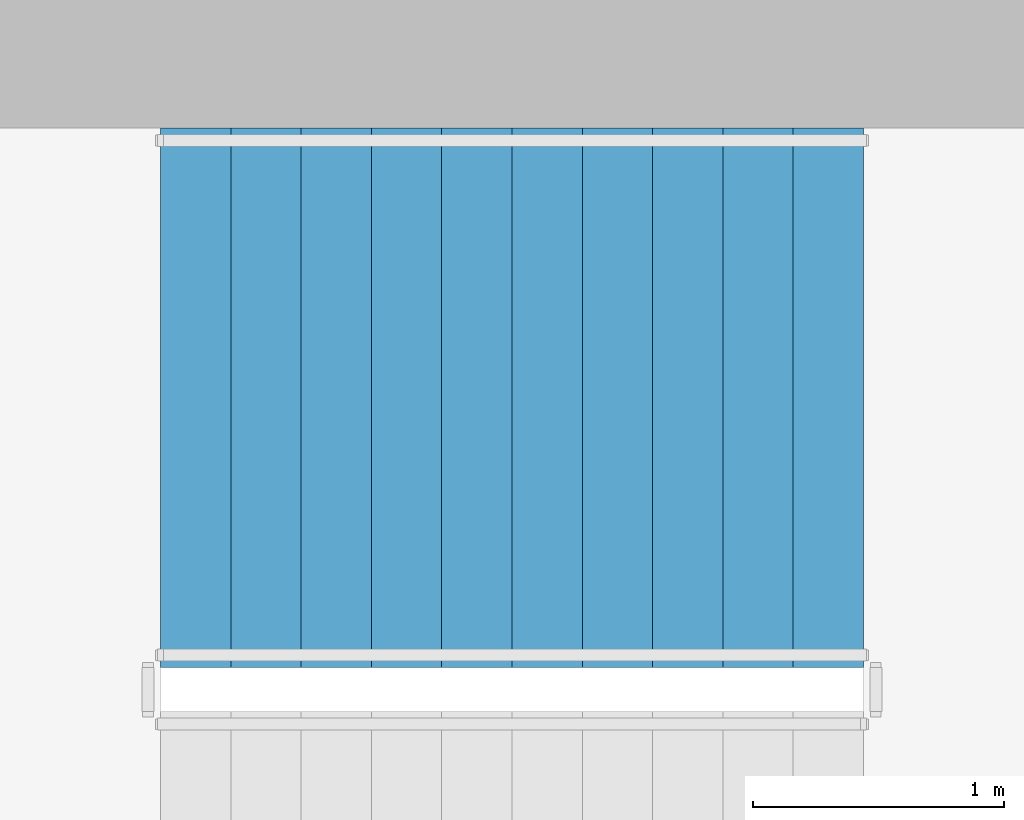
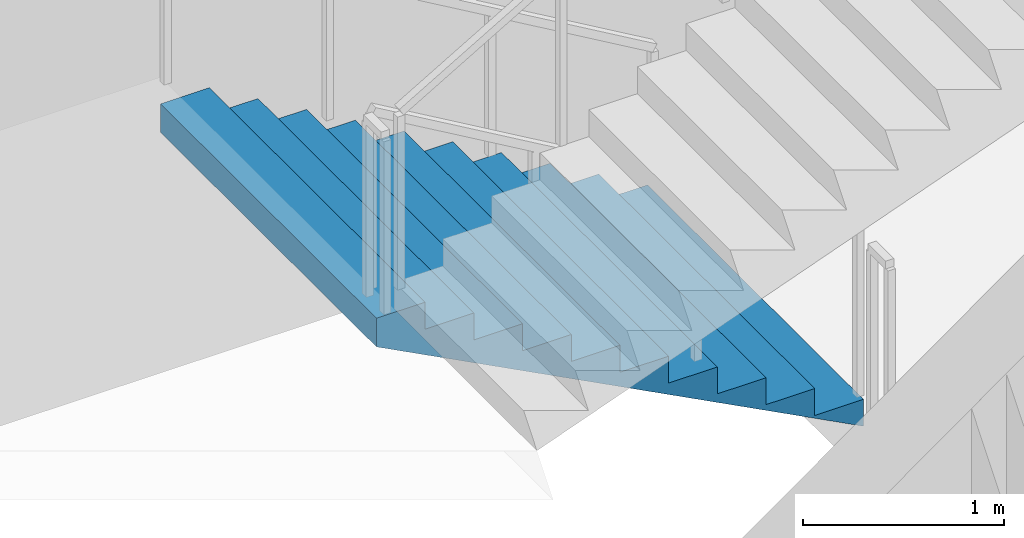
# One storey, part 12 of 20: 1 stair flight, 1 element without a shape of its own.
"""IFC4 building model written with IfcOpenShell, lengths in metres."""

from ifc_helpers import new_model, si_unit, direction, frame, origin, place, context, subcontext, project, spatial, triangles, material, type_object, element, aggregate, save


model = new_model("IFC4")

# Units and contexts
model_context = context("Model", 3, precision=1e-05, world=origin(), true_north=direction((0.0, 1.0)))
body_context = subcontext(model_context, "Body", "Model", "MODEL_VIEW")
ifc_project = project(units=[si_unit("LENGTHUNIT", "METRE"), si_unit("AREAUNIT", "SQUARE_METRE"), si_unit("VOLUMEUNIT", "CUBIC_METRE"), si_unit("PLANEANGLEUNIT", "RADIAN"), si_unit("MASSUNIT", "GRAM", prefix="KILO")], contexts=[model_context])

# Site, building, storey
site_placement = place(None, origin())
site = spatial("IfcSite", under=ifc_project, at=site_placement, CompositionType="ELEMENT")
building_placement = place(site_placement, origin())
building = spatial("IfcBuilding", under=site, at=building_placement, Name="Cypress Arch Tower", CompositionType="ELEMENT")
storey_placement = place(building_placement, frame((0.0, 0.0, 84.300048828125)))
storey = spatial("IfcBuildingStorey", under=building, at=storey_placement, Name="L15", CompositionType="ELEMENT", Elevation=84.300048828125)

# Stair, stair flight
ifc_material_1 = material(Name="Concrete C40/50", Category="concrete")
stair_type = type_object("IfcStairType", Name="Exit stair ES1636-215", PredefinedType="HALF_TURN_STAIR", material=ifc_material_1)
stair_placement = place(storey_placement, origin())
stair = element("IfcStair", 1, at=stair_placement, inside=storey, type_object=stair_type, Name="L15 Exit stair B", PredefinedType="HALF_TURN_STAIR")
ifc_material_2 = material(Name="Concrete C40/50", Category="concrete")
stair_flight_type = type_object("IfcStairFlightType", Name="Exit stair flight ES1636-215", PredefinedType="STRAIGHT", material=ifc_material_2)
stair_flight_placement = place(storey_placement, frame((-22.27490234375, 13.72509765625, 0.0), z_axis=(0.0, 0.0, 1.0), x_axis=(-1.0, 0.0, 0.0)))
stair_flight = element("IfcStairFlight", 2, at=stair_flight_placement, type_object=stair_flight_type, Name="B flight 1", NumberOfRisers=11, NumberOfTreads=10, PredefinedType="STRAIGHT", RiserHeight=0.163636364, TreadLength=0.28, context=body_context, shape_type="Tessellation", body=[
    triangles([(0.0, -1.074951171875, 0.0), (0.000244140625, -1.074951171875, 0.03271484375), (0.00048828125, -1.074951171875, 0.0654296875), (0.00048828125, -1.074951171875, 0.09814453125), (0.000244140625, -1.074951171875, 0.130859375), (0.0, -1.074951171875, 0.16357421875), (0.280029296875, -1.074951171875, 0.16357421875), (0.280029296875, -1.074951171875, 0.327392578125), (0.56005859375, -1.074951171875, 0.327392578125), (0.56005859375, -1.074951171875, 0.490966796875), (0.840087890625, -1.074951171875, 0.490966796875), (0.840087890625, -1.074951171875, 0.654541015625), (1.1201171875, -1.074951171875, 0.654541015625), (1.1201171875, -1.074951171875, 0.818115234375), (1.39990234375, -1.074951171875, 0.818115234375), (1.39990234375, -1.074951171875, 0.98193359375), (1.679931640625, -1.074951171875, 0.98193359375), (1.679931640625, -1.074951171875, 1.1455078125), (1.9599609375, -1.074951171875, 1.1455078125), (1.9599609375, -1.074951171875, 1.30908203125), (2.239990234375, -1.074951171875, 1.30908203125), (2.239990234375, -1.074951171875, 1.47265625), (2.52001953125, -1.074951171875, 1.47265625), (2.52001953125, -1.074951171875, 1.636474609375), (2.800048828125, -1.074951171875, 1.636474609375), (2.7998046875, -1.074951171875, 1.601806640625), (2.799560546875, -1.074951171875, 1.56689453125), (2.799560546875, -1.074951171875, 1.5322265625), (2.7998046875, -1.074951171875, 1.497314453125), (2.800048828125, -1.074951171875, 1.462646484375), (2.800048828125, 1.074951171875, 1.462646484375), (2.7998046875, 1.074951171875, 1.497314453125), (2.799560546875, 1.074951171875, 1.5322265625), (2.799560546875, 1.074951171875, 1.56689453125), (2.7998046875, 1.074951171875, 1.601806640625), (2.800048828125, 1.074951171875, 1.636474609375), (2.52001953125, 1.074951171875, 1.636474609375), (2.52001953125, 1.074951171875, 1.47265625), (2.239990234375, 1.074951171875, 1.47265625), (2.239990234375, 1.074951171875, 1.30908203125), (1.9599609375, 1.074951171875, 1.30908203125), (1.9599609375, 1.074951171875, 1.1455078125), (1.679931640625, 1.074951171875, 1.1455078125), (1.679931640625, 1.074951171875, 0.98193359375), (1.39990234375, 1.074951171875, 0.98193359375), (1.39990234375, 1.074951171875, 0.818115234375), (1.1201171875, 1.074951171875, 0.818115234375), (1.1201171875, 1.074951171875, 0.654541015625), (0.840087890625, 1.074951171875, 0.654541015625), (0.840087890625, 1.074951171875, 0.490966796875), (0.56005859375, 1.074951171875, 0.490966796875), (0.56005859375, 1.074951171875, 0.327392578125), (0.280029296875, 1.074951171875, 0.327392578125), (0.280029296875, 1.074951171875, 0.16357421875), (0.0, 1.074951171875, 0.16357421875), (0.000244140625, 1.074951171875, 0.130859375), (0.00048828125, 1.074951171875, 0.09814453125), (0.00048828125, 1.074951171875, 0.0654296875), (0.000244140625, 1.074951171875, 0.03271484375), (0.0, 1.074951171875, 0.0), (2.7998046875, 0.0, 1.497314453125), (2.800048828125, 0.0, 1.462646484375), (2.799560546875, 0.0, 1.5322265625), (2.799560546875, 0.0, 1.56689453125), (2.7998046875, 0.0, 1.601806640625), (2.800048828125, 0.0, 1.636474609375), (2.52001953125, 0.0, 1.636474609375), (2.52001953125, 0.0, 1.47265625), (2.239990234375, 0.0, 1.47265625), (2.239990234375, 0.0, 1.30908203125), (1.9599609375, 0.0, 1.30908203125), (1.9599609375, 0.0, 1.1455078125), (1.679931640625, 0.0, 1.1455078125), (1.679931640625, 0.0, 0.98193359375), (1.39990234375, 0.0, 0.98193359375), (1.39990234375, 0.0, 0.818115234375), (1.1201171875, 0.0, 0.818115234375), (1.1201171875, 0.0, 0.654541015625), (0.840087890625, 0.0, 0.654541015625), (0.840087890625, 0.0, 0.490966796875), (0.56005859375, 0.0, 0.490966796875), (0.56005859375, 0.0, 0.327392578125), (0.280029296875, 0.0, 0.327392578125), (0.280029296875, 0.0, 0.16357421875), (0.0, 0.0, 0.16357421875), (0.000244140625, 0.0, 0.130859375), (0.00048828125, 0.0, 0.09814453125), (0.00048828125, 0.0, 0.0654296875), (0.000244140625, 0.0, 0.03271484375), (0.0, 0.0, 0.0)], [[30, 29, 24], [29, 28, 24], [28, 27, 24], [27, 26, 24], [26, 25, 24], [17, 16, 15], [9, 8, 7], [15, 14, 13], [23, 22, 21], [21, 20, 19], [19, 18, 17], [13, 12, 11], [11, 10, 9], [6, 5, 7], [5, 4, 7], [4, 3, 7], [3, 2, 7], [2, 1, 7], [30, 24, 23], [30, 23, 21], [30, 21, 19], [30, 19, 17], [30, 17, 15], [30, 15, 13], [30, 13, 11], [30, 11, 9], [30, 9, 7], [30, 7, 1], [31, 37, 32], [32, 37, 33], [33, 37, 34], [34, 37, 35], [35, 37, 36], [44, 46, 45], [52, 54, 53], [46, 48, 47], [38, 40, 39], [40, 42, 41], [42, 44, 43], [48, 50, 49], [50, 52, 51], [55, 54, 56], [56, 54, 57], [57, 54, 58], [58, 54, 59], [59, 54, 60], [31, 38, 37], [31, 40, 38], [31, 42, 40], [31, 44, 42], [31, 46, 44], [31, 48, 46], [31, 50, 48], [31, 52, 50], [31, 54, 52], [31, 60, 54], [62, 61, 29], [62, 29, 30], [31, 32, 61], [31, 61, 62], [61, 63, 28], [61, 28, 29], [32, 33, 63], [32, 63, 61], [63, 64, 27], [63, 27, 28], [33, 34, 64], [33, 64, 63], [64, 65, 26], [64, 26, 27], [34, 35, 65], [34, 65, 64], [65, 66, 25], [65, 25, 26], [35, 36, 66], [35, 66, 65], [66, 67, 24], [66, 24, 25], [36, 37, 67], [36, 67, 66], [67, 68, 23], [67, 23, 24], [37, 38, 68], [37, 68, 67], [68, 69, 22], [68, 22, 23], [38, 39, 69], [38, 69, 68], [69, 70, 21], [69, 21, 22], [39, 40, 70], [39, 70, 69], [70, 71, 20], [70, 20, 21], [40, 41, 71], [40, 71, 70], [71, 72, 19], [71, 19, 20], [41, 42, 72], [41, 72, 71], [72, 73, 18], [72, 18, 19], [42, 43, 73], [42, 73, 72], [73, 74, 17], [73, 17, 18], [43, 44, 74], [43, 74, 73], [74, 75, 16], [74, 16, 17], [44, 45, 75], [44, 75, 74], [75, 76, 15], [75, 15, 16], [45, 46, 76], [45, 76, 75], [76, 77, 14], [76, 14, 15], [46, 47, 77], [46, 77, 76], [77, 78, 13], [77, 13, 14], [47, 48, 78], [47, 78, 77], [78, 79, 12], [78, 12, 13], [48, 49, 79], [48, 79, 78], [79, 80, 11], [79, 11, 12], [49, 50, 80], [49, 80, 79], [80, 81, 10], [80, 10, 11], [50, 51, 81], [50, 81, 80], [81, 82, 9], [81, 9, 10], [51, 52, 82], [51, 82, 81], [82, 83, 8], [82, 8, 9], [52, 53, 83], [52, 83, 82], [83, 84, 7], [83, 7, 8], [53, 54, 84], [53, 84, 83], [84, 85, 6], [84, 6, 7], [54, 55, 85], [54, 85, 84], [85, 86, 5], [85, 5, 6], [55, 56, 86], [55, 86, 85], [86, 87, 4], [86, 4, 5], [56, 57, 87], [56, 87, 86], [87, 88, 3], [87, 3, 4], [57, 58, 88], [57, 88, 87], [88, 89, 2], [88, 2, 3], [58, 59, 89], [58, 89, 88], [89, 90, 1], [89, 1, 2], [59, 60, 90], [59, 90, 89], [90, 62, 30], [90, 30, 1], [60, 31, 62], [60, 62, 90]], closed=True),
])
aggregate(stair, [stair_flight])

save(model, "model.ifc")
